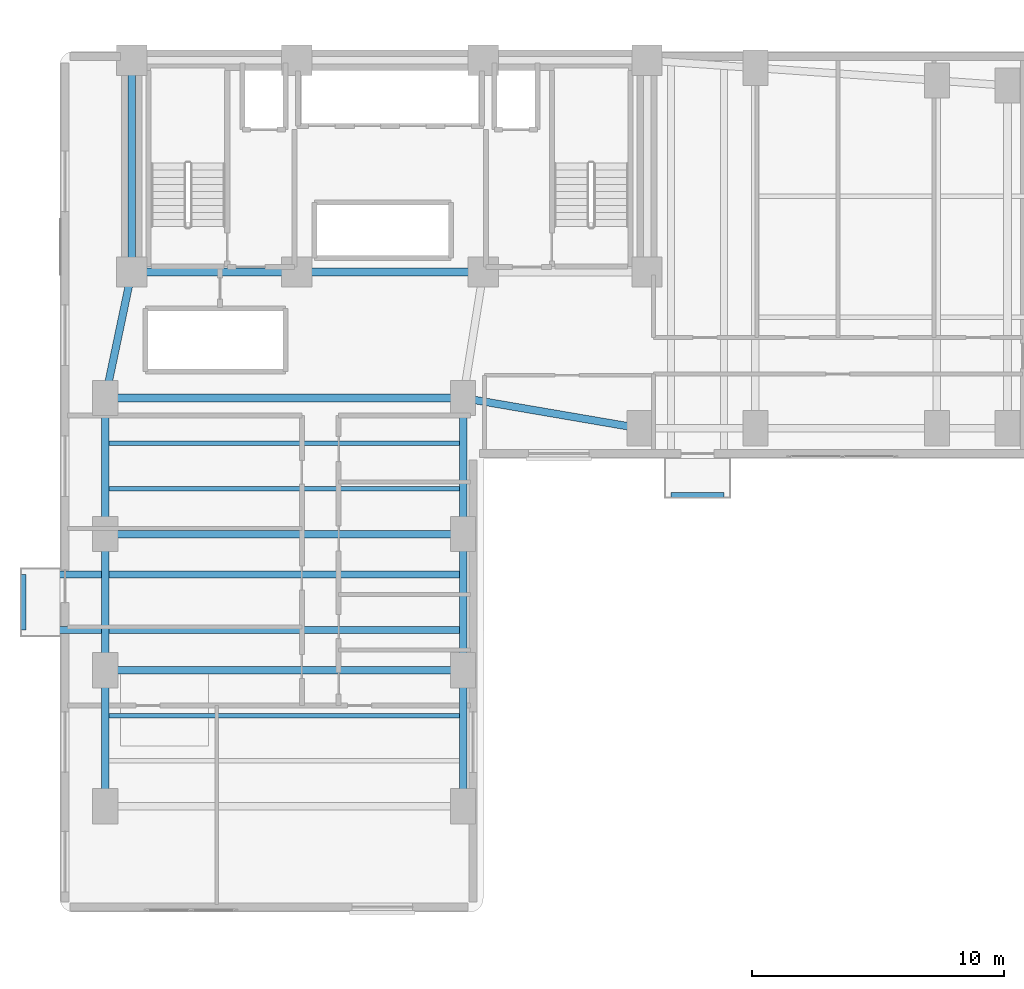
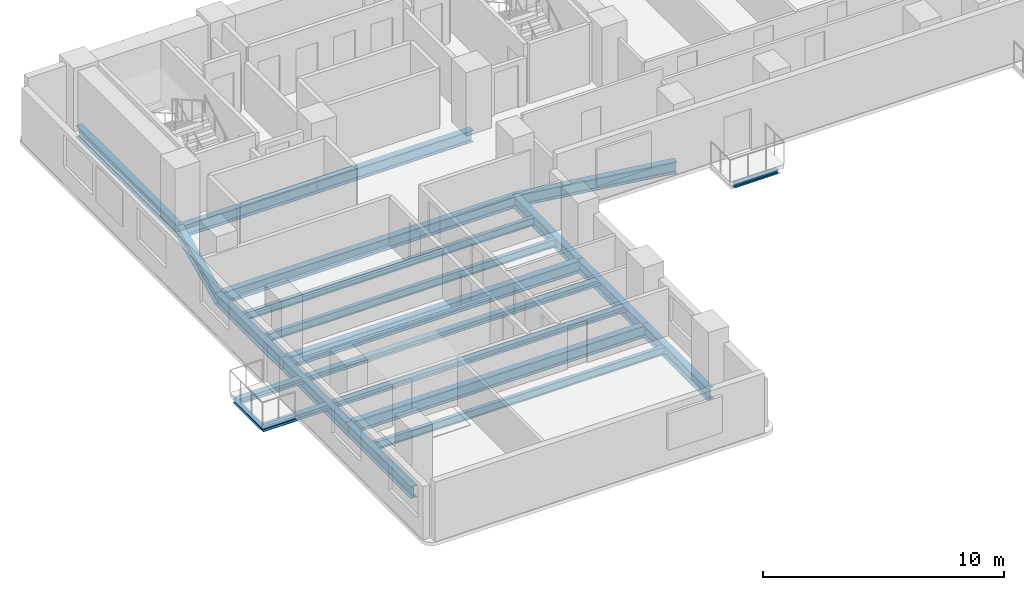
# One storey, part 3 of 17: 21 beams.
"""IFC4 building model written with IfcOpenShell, lengths in metres."""

from ifc_helpers import new_model, si_unit, direction, frame, origin, origin_2d, place, context, subcontext, project, spatial, i_section, extrude, material, material_profile, profile_set, type_object, element, save


model = new_model("IFC4")

# Units and contexts
model_context = context("Model", 3, precision=1e-05, world=origin(), true_north=direction((0.0, 1.0)))
body_context = subcontext(model_context, "Body", "Model", "MODEL_VIEW")
ifc_project = project(units=[si_unit("LENGTHUNIT", "METRE"), si_unit("AREAUNIT", "SQUARE_METRE"), si_unit("VOLUMEUNIT", "CUBIC_METRE"), si_unit("PLANEANGLEUNIT", "RADIAN"), si_unit("MASSUNIT", "GRAM", prefix="KILO")], contexts=[model_context])

# Site, building, storey
site_placement = place(None, origin())
site = spatial("IfcSite", under=ifc_project, at=site_placement, CompositionType="ELEMENT")
building_placement = place(site_placement, origin())
building = spatial("IfcBuilding", under=site, at=building_placement, Name="Kuzgunbayir Cultural Tower", CompositionType="ELEMENT")
storey_placement = place(building_placement, frame((0.0, 0.0, 56.39990234375)))
storey = spatial("IfcBuildingStorey", under=building, at=storey_placement, Name="L15", CompositionType="ELEMENT", Elevation=56.39990234375)

# Beams
ifc_material = material(Name="Steel S355J2", Category="steel")
ifc_material_profile_1 = material_profile(ifc_material, i_section(OverallWidth=0.280029296875, OverallDepth=0.280029296875, WebThickness=0.010498046875, FlangeThickness=0.01806640625, FilletRadius=0.02392578125, at=origin_2d()), Name="HEB 280")
ifc_profile_set_1 = profile_set([ifc_material_profile_1], Name="Steel S355J2")
beam_type_1 = type_object("IfcBeamType", Name="BM-BAL-HEB280", PredefinedType="BEAM", material=ifc_profile_set_1)
for number, where, z_axis, x_axis, name in (
    (1, (2.159912109375, 19.60009765625, -0.33984375), (1.0, 0.0, 0.0), (0.0, 1.0, 0.0), "L15 Balcony Outrigger Beam BAL-L15-WA2.1"),
    (2, (2.159912109375, 21.800048828125, -0.33984375), (1.0, 0.0, 0.0), (0.0, 1.0, 0.0), "L15 Balcony Outrigger Beam BAL-L15-WA2.2"),
):
    element("IfcBeam", number, at=place(storey_placement, frame(where, z_axis=z_axis, x_axis=x_axis)), inside=storey, type_object=beam_type_1, Name=name, PredefinedType="BEAM", context=body_context, shape_type="SweptSolid", body=[
        extrude(i_section(OverallWidth=0.280029296875, OverallDepth=0.280029296875, WebThickness=0.010498046875, FlangeThickness=0.01806640625, FilletRadius=0.02392578125, at=origin_2d()), origin(), (0.0, 0.0, 1.0), 17.440185546875),
    ])
ifc_material_profile_2 = material_profile(ifc_material, i_section(OverallWidth=0.199951171875, OverallDepth=0.199951171875, WebThickness=0.009033203125, FlangeThickness=0.014892578125, FilletRadius=0.01806640625, at=origin_2d()), Name="HEB 200")
ifc_profile_set_2 = profile_set([ifc_material_profile_2], Name="Steel S355J2")
beam_type_2 = type_object("IfcBeamType", Name="BM-CAN-HEB200", PredefinedType="BEAM", material=ifc_profile_set_2)
beam_1_placement = place(storey_placement, frame((2.159912109375, 19.60009765625, -0.2998046875), z_axis=(0.0, 1.0, 0.0), x_axis=(-1.0, 0.0, 0.0)))
element("IfcBeam", 3, at=beam_1_placement, inside=storey, type_object=beam_type_2, Name="L15 Balcony Edge Header BAL-L15-WA2", PredefinedType="BEAM", context=body_context, shape_type="SweptSolid", body=[
    extrude(i_section(OverallWidth=0.199951171875, OverallDepth=0.199951171875, WebThickness=0.009033203125, FlangeThickness=0.014892578125, FilletRadius=0.01806640625, at=origin_2d()), origin(), (0.0, 0.0, 1.0), 2.199951171875),
])
beam_2_placement = place(storey_placement, frame((27.85009765625, 24.9599609375, -0.2998046875), z_axis=(1.0, 0.0, 0.0), x_axis=(0.0, 1.0, 0.0)))
element("IfcBeam", 4, at=beam_2_placement, inside=storey, type_object=beam_type_2, Name="L15 Balcony Edge Header BAL-L15-WB1", PredefinedType="BEAM", context=body_context, shape_type="SweptSolid", body=[
    extrude(i_section(OverallWidth=0.199951171875, OverallDepth=0.199951171875, WebThickness=0.009033203125, FlangeThickness=0.014892578125, FilletRadius=0.01806640625, at=origin_2d()), origin(), (0.0, 0.0, 1.0), 2.099853515625),
])
ifc_material_profile_3 = material_profile(ifc_material, i_section(OverallWidth=0.300048828125, OverallDepth=0.60009765625, WebThickness=0.015380859375, FlangeThickness=0.030029296875, FilletRadius=0.027099609375, at=origin_2d()), Name="HEB 600")
ifc_profile_set_3 = profile_set([ifc_material_profile_3], Name="Steel S355J2")
beam_type_3 = type_object("IfcBeamType", Name="BM-EXT-HEB600", PredefinedType="BEAM", material=ifc_profile_set_3)
for number, where, z_axis, x_axis, name in (
    (5, (5.39990234375, 12.60009765625, -0.47998046875), (0.0, 1.0, 0.0), (-1.0, 0.0, 0.0), "L15 Wing A West Girder 1"),
    (6, (19.60009765625, 12.60009765625, -0.47998046875), (0.0, 1.0, 0.0), (-1.0, 0.0, 0.0), "L15 Wing A East Girder 1"),
    (7, (5.39990234375, 18.0, -0.47998046875), (0.0, 1.0, 0.0), (-1.0, 0.0, 0.0), "L15 Wing A West Girder 2"),
    (8, (19.60009765625, 18.0, -0.47998046875), (0.0, 1.0, 0.0), (-1.0, 0.0, 0.0), "L15 Wing A East Girder 2"),
):
    element("IfcBeam", number, at=place(storey_placement, frame(where, z_axis=z_axis, x_axis=x_axis)), inside=storey, type_object=beam_type_3, Name=name, PredefinedType="BEAM", context=body_context, shape_type="SweptSolid", body=[
        extrude(i_section(OverallWidth=0.300048828125, OverallDepth=0.60009765625, WebThickness=0.015380859375, FlangeThickness=0.030029296875, FilletRadius=0.027099609375, at=origin_2d()), origin(), (0.0, 0.0, 1.0), 5.39990234375),
    ])
for number, where, z_axis, x_axis, name in (
    (9, (5.39990234375, 23.39990234375, -0.47998046875), (0.0, 1.0, 0.0), (-1.0, 0.0, 0.0), "L15 Wing A West Girder 3"),
    (10, (19.60009765625, 23.39990234375, -0.47998046875), (0.0, 1.0, 0.0), (-1.0, 0.0, 0.0), "L15 Wing A East Girder 3"),
):
    element("IfcBeam", number, at=place(storey_placement, frame(where, z_axis=z_axis, x_axis=x_axis)), inside=storey, type_object=beam_type_3, Name=name, PredefinedType="BEAM", context=body_context, shape_type="SweptSolid", body=[
        extrude(i_section(OverallWidth=0.300048828125, OverallDepth=0.60009765625, WebThickness=0.015380859375, FlangeThickness=0.030029296875, FilletRadius=0.027099609375, at=origin_2d()), origin(), (0.0, 0.0, 1.0), 5.400146484375),
    ])
ifc_material_profile_4 = material_profile(ifc_material, i_section(OverallWidth=0.300048828125, OverallDepth=0.60009765625, WebThickness=0.015380859375, FlangeThickness=0.030029296875, FilletRadius=0.027099609375, at=origin_2d()), Name="HEB 600")
ifc_profile_set_4 = profile_set([ifc_material_profile_4], Name="Steel S355J2")
beam_type_4 = type_object("IfcBeamType", Name="BM-GIR-HEB600", PredefinedType="BEAM", material=ifc_profile_set_4)
beam_3_placement = place(storey_placement, frame((6.449951171875, 33.800048828125, -0.47998046875), z_axis=(1.0, 0.0, 0.0), x_axis=(0.0, 1.0, 0.0)))
element("IfcBeam", 11, at=beam_3_placement, inside=storey, type_object=beam_type_4, Name="L15 Core South Girder 1", PredefinedType="BEAM", context=body_context, shape_type="SweptSolid", body=[
    extrude(i_section(OverallWidth=0.300048828125, OverallDepth=0.60009765625, WebThickness=0.015380859375, FlangeThickness=0.030029296875, FilletRadius=0.027099609375, at=origin_2d()), origin(), (0.0, 0.0, 1.0), 6.550048828125),
])
beam_4_placement = place(storey_placement, frame((13.0, 33.800048828125, -0.47998046875), z_axis=(1.0, 0.0, 0.0), x_axis=(0.0, 1.0, 0.0)))
element("IfcBeam", 12, at=beam_4_placement, inside=storey, type_object=beam_type_4, Name="L15 Core South Girder 2", PredefinedType="BEAM", context=body_context, shape_type="SweptSolid", body=[
    extrude(i_section(OverallWidth=0.300048828125, OverallDepth=0.60009765625, WebThickness=0.015380859375, FlangeThickness=0.030029296875, FilletRadius=0.027099609375, at=origin_2d()), origin(), (0.0, 0.0, 1.0), 7.39990234375),
])
beam_5_placement = place(storey_placement, frame((6.449951171875, 33.800048828125, -0.47998046875), z_axis=(0.0, 1.0, 0.0), x_axis=(-1.0, 0.0, 0.0)))
element("IfcBeam", 13, at=beam_5_placement, inside=storey, type_object=beam_type_4, Name="L15 Core West Edge Girder", PredefinedType="BEAM", context=body_context, shape_type="SweptSolid", body=[
    extrude(i_section(OverallWidth=0.300048828125, OverallDepth=0.60009765625, WebThickness=0.015380859375, FlangeThickness=0.030029296875, FilletRadius=0.027099609375, at=origin_2d()), origin(), (0.0, 0.0, 1.0), 8.39990234375),
])
for number, where, z_axis, x_axis, name in (
    (14, (5.39990234375, 18.0, -0.47998046875), (1.0, 0.0, 0.0), (0.0, 1.0, 0.0), "L15 Wing A Transverse Girder 2"),
    (15, (5.39990234375, 23.39990234375, -0.47998046875), (1.0, 0.0, 0.0), (0.0, 1.0, 0.0), "L15 Wing A Transverse Girder 3"),
    (16, (5.39990234375, 28.800048828125, -0.47998046875), (1.0, 0.0, 0.0), (0.0, 1.0, 0.0), "L15 Wing A Transverse Girder 4"),
):
    element("IfcBeam", number, at=place(storey_placement, frame(where, z_axis=z_axis, x_axis=x_axis)), inside=storey, type_object=beam_type_4, Name=name, PredefinedType="BEAM", context=body_context, shape_type="SweptSolid", body=[
        extrude(i_section(OverallWidth=0.300048828125, OverallDepth=0.60009765625, WebThickness=0.015380859375, FlangeThickness=0.030029296875, FilletRadius=0.027099609375, at=origin_2d()), origin(), (0.0, 0.0, 1.0), 14.2001953125),
    ])
beam_6_placement = place(storey_placement, frame((5.39990234375, 28.800048828125, -0.47998046875), z_axis=(0.205526387753, 0.978651574329, 0.0), x_axis=(-0.978651574329, 0.205526387753, 0.0)))
element("IfcBeam", 17, at=beam_6_placement, inside=storey, type_object=beam_type_4, Name="L15 Wing A West Core Floor Girder", PredefinedType="BEAM", context=body_context, shape_type="SweptSolid", body=[
    extrude(i_section(OverallWidth=0.300048828125, OverallDepth=0.60009765625, WebThickness=0.015380859375, FlangeThickness=0.030029296875, FilletRadius=0.027099609375, at=origin_2d()), origin(), (0.0, 0.0, 1.0), 5.109130859375),
])
beam_7_placement = place(storey_placement, frame((19.60009765625, 28.800048828125, -0.47998046875), z_axis=(0.985623399742, -0.168957136221, 0.0), x_axis=(0.168957136221, 0.985623399742, 0.0)))
element("IfcBeam", 18, at=beam_7_placement, inside=storey, type_object=beam_type_4, Name="L15 Wing B Waist Tie Girder", PredefinedType="BEAM", context=body_context, shape_type="SweptSolid", body=[
    extrude(i_section(OverallWidth=0.300048828125, OverallDepth=0.60009765625, WebThickness=0.015380859375, FlangeThickness=0.030029296875, FilletRadius=0.027099609375, at=origin_2d()), origin(), (0.0, 0.0, 1.0), 7.10205078125),
])
ifc_material_profile_5 = material_profile(ifc_material, i_section(OverallWidth=0.179931640625, OverallDepth=0.39990234375, WebThickness=0.008544921875, FlangeThickness=0.013427734375, FilletRadius=0.02099609375, at=origin_2d()), Name="IPE 400")
ifc_profile_set_5 = profile_set([ifc_material_profile_5], Name="Steel S355J2")
beam_type_5 = type_object("IfcBeamType", Name="BM-JST-IPE400", PredefinedType="JOIST", material=ifc_profile_set_5)
for number, where, z_axis, x_axis, name in (
    (19, (5.550048828125, 16.199951171875, -0.3798828125), (1.0, 0.0, 0.0), (0.0, 1.0, 0.0), "L15 Wing A Secondary Joist 2"),
    (20, (5.550048828125, 25.199951171875, -0.3798828125), (1.0, 0.0, 0.0), (0.0, 1.0, 0.0), "L15 Wing A Secondary Joist 5"),
    (21, (5.550048828125, 27.0, -0.3798828125), (1.0, 0.0, 0.0), (0.0, 1.0, 0.0), "L15 Wing A Secondary Joist 6"),
):
    element("IfcBeam", number, at=place(storey_placement, frame(where, z_axis=z_axis, x_axis=x_axis)), inside=storey, type_object=beam_type_5, Name=name, PredefinedType="JOIST", context=body_context, shape_type="SweptSolid", body=[
        extrude(i_section(OverallWidth=0.179931640625, OverallDepth=0.39990234375, WebThickness=0.008544921875, FlangeThickness=0.013427734375, FilletRadius=0.02099609375, at=origin_2d()), origin(), (0.0, 0.0, 1.0), 13.89990234375),
    ])

save(model, "model.ifc")
